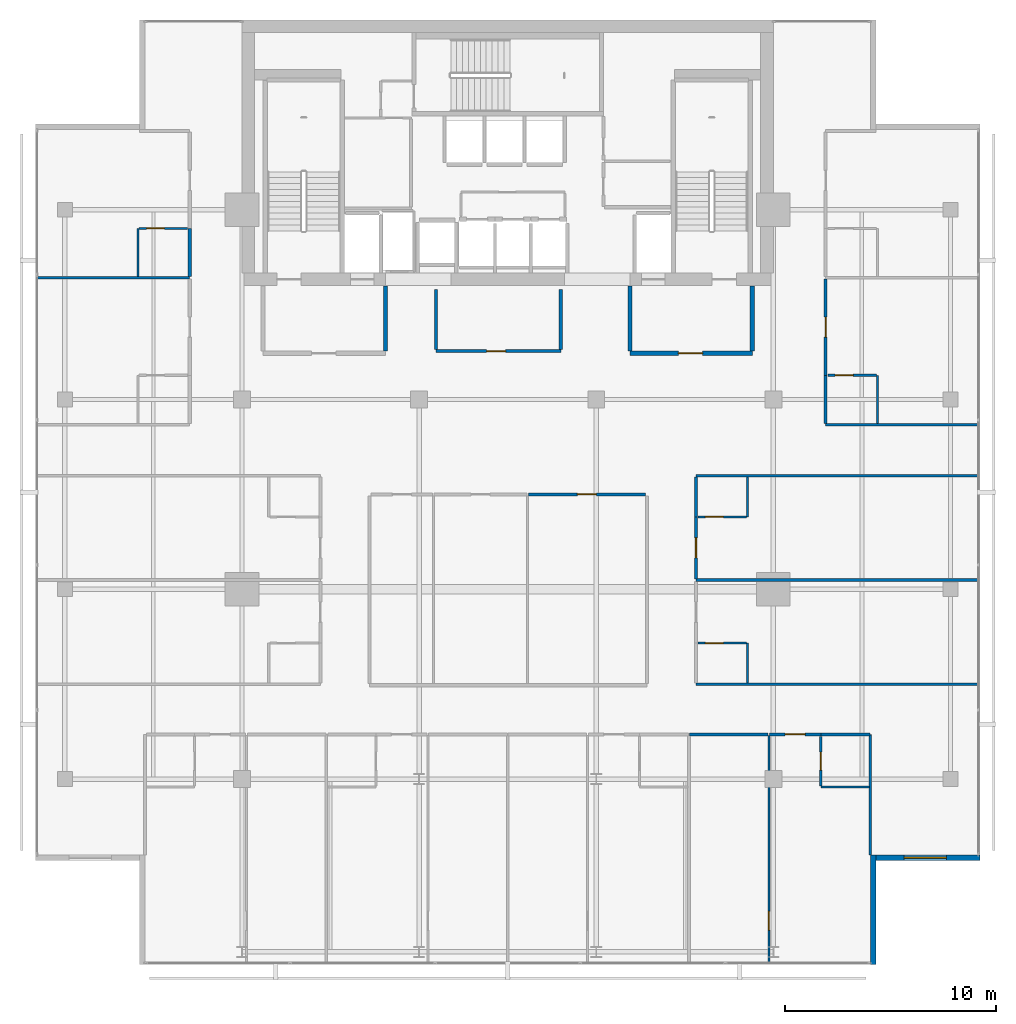
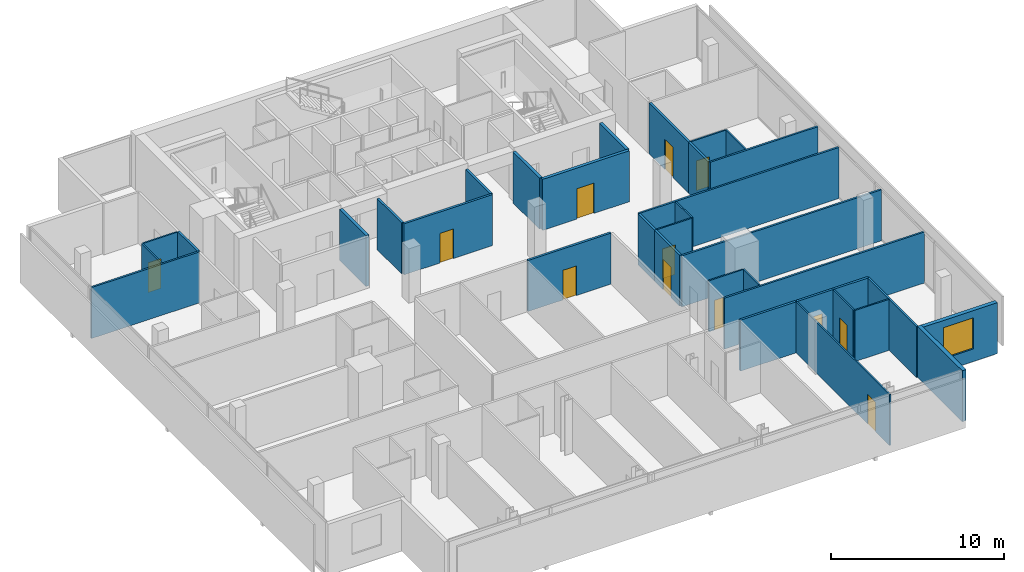
# One storey, part 21 of 26: 35 walls, 12 doors, 1 window, 13 openings.
"""IFC4 building model written with IfcOpenShell, lengths in metres."""

from ifc_helpers import new_model, si_unit, direction, frame, frame_2d, origin, place, context, subcontext, project, spatial, rectangle, extrude, material, layer, layer_set, type_object, element, fill, save


model = new_model("IFC4")

# Units and contexts
model_context = context("Model", 3, precision=1e-05, world=origin(), true_north=direction((0.0, 1.0)))
body_context = subcontext(model_context, "Body", "Model", "MODEL_VIEW")
ifc_project = project(units=[si_unit("LENGTHUNIT", "METRE"), si_unit("AREAUNIT", "SQUARE_METRE"), si_unit("VOLUMEUNIT", "CUBIC_METRE"), si_unit("PLANEANGLEUNIT", "RADIAN"), si_unit("MASSUNIT", "GRAM", prefix="KILO")], contexts=[model_context])

# Site, building, storey
site_placement = place(None, origin())
site = spatial("IfcSite", under=ifc_project, at=site_placement, CompositionType="ELEMENT")
building_placement = place(site_placement, origin())
building = spatial("IfcBuilding", under=site, at=building_placement, Name="Maruvema Waterfront Hotel and Observation Tower", CompositionType="ELEMENT")
storey_placement = place(building_placement, frame((0.0, 0.0, 258.64990234375)))
storey = spatial("IfcBuildingStorey", under=building, at=storey_placement, Name="L63", CompositionType="ELEMENT", Elevation=258.64990234375)

# Wall, opening, door
ifc_material_1 = material(Name="Twin-stud acoustic gypsum drywall", Category="gypsum")
ifc_layer_1 = layer(ifc_material_1, 0.14990234375, Name="Acoustic Corridor and Suite Demising Wall 150 mm")
ifc_layer_set_1 = layer_set([ifc_layer_1], Name="Twin-stud acoustic gypsum drywall")
wall_type_1 = type_object("IfcWallType", Name="Acoustic Corridor and Suite Demising Wall 150 mm", PredefinedType="PARTITIONING", material=ifc_layer_set_1)
wall_1_placement = place(storey_placement, frame((34.39990234375, 38.300048828125, 0.0), z_axis=(0.0, 0.0, 1.0), x_axis=(1.0, 0.0, 0.0)))
wall_1 = element("IfcWall", 1, at=wall_1_placement, inside=storey, type_object=wall_type_1, Name="L63 Core Apron K0 South 022", PredefinedType="PARTITIONING", context=body_context, shape_type="SweptSolid", body=[
    extrude(rectangle(XDim=5.920166015625, YDim=0.14990234375, at=frame_2d((2.9599609375, 0.0))), origin(), (0.0, 0.0, 1.0), 3.610107421875),
])
opening_1_placement = place(wall_1_placement, frame((2.39990234375, 0.0, 0.0)))
opening_1 = element("IfcOpeningElement", 2, at=opening_1_placement, cuts=wall_1, Name="Opening DR-090", PredefinedType="OPENING", context=body_context, shape_type="SweptSolid", body=[
    extrude(rectangle(XDim=0.89990234375, YDim=2.10009765625, at=frame_2d((0.449951171875, 1.050048828125))), frame((0.0, 0.0849609375, 0.0), z_axis=(0.0, -1.0, 0.0), x_axis=(1.0, 0.0, 0.0)), (0.0, 0.0, 1.0), 0.169921875),
])
ifc_material_2 = material(Name="Solid-core lacquered timber leaf", Category="wood")
door_type_1 = type_object("IfcDoorType", Name="Accessible Toilet and Room Door 900x2100 mm", OperationType="NOTDEFINED", PredefinedType="DOOR", material=ifc_material_2)
door_1_placement = place(opening_1_placement, frame((0.89990234375, 0.0, 0.0), z_axis=(0.0, 0.0, 1.0), x_axis=(-1.0, 0.0, 0.0)))
door_1 = element("IfcDoor", 3, at=door_1_placement, inside=storey, type_object=door_type_1, Name="L63 Core Valet Room Door", OperationType="SINGLE_SWING_LEFT", OverallHeight=2.10009765625, OverallWidth=0.89990234375, PredefinedType="DOOR", context=body_context, shape_type="SweptSolid", body=[
    extrude(rectangle(XDim=0.89990234375, YDim=2.10009765625, at=frame_2d((0.449951171875, 1.050048828125))), frame((0.0, 0.02490234375, 0.0), z_axis=(0.0, -1.0, 0.0), x_axis=(1.0, 0.0, 0.0)), (0.0, 0.0, 1.0), 0.050048828125),
])
fill(opening_1, door_1)

# Walls
for number, where, z_axis, x_axis, name in (
    (4, (34.39990234375, 38.3798828125, 0.0), (0.0, 0.0, 1.0), (0.0, 1.0, 0.0), "L63 Core Apron K0 West 023"),
    (5, (40.320068359375, 38.3798828125, 0.0), (0.0, 0.0, 1.0), (0.0, 1.0, 0.0), "L63 Core Apron K0 East 024"),
):
    element("IfcWall", number, at=place(storey_placement, frame(where, z_axis=z_axis, x_axis=x_axis)), inside=storey, type_object=wall_type_1, Name=name, PredefinedType="PARTITIONING", context=body_context, shape_type="SweptSolid", body=[
        extrude(rectangle(XDim=2.840087890625, YDim=0.14990234375, at=frame_2d((1.419921875, 0.0))), origin(), (0.0, 0.0, 1.0), 3.610107421875),
    ])

# Wall, opening, door
wall_2_placement = place(storey_placement, frame((38.775390625, 31.5, 0.0), z_axis=(0.0, 0.0, 1.0), x_axis=(1.0, 0.0, 0.0)))
wall_2 = element("IfcWall", 6, at=wall_2_placement, inside=storey, type_object=wall_type_1, Name="L63 L63-Z3M Front 3 032", PredefinedType="PARTITIONING", context=body_context, shape_type="SweptSolid", body=[
    extrude(rectangle(XDim=5.564697265625, YDim=0.14990234375, at=frame_2d((2.7822265625, 0.0))), origin(), (0.0, 0.0, 1.0), 3.610107421875),
])
opening_2_placement = place(wall_2_placement, frame((2.332275390625, 0.0, 0.0)))
opening_2 = element("IfcOpeningElement", 7, at=opening_2_placement, cuts=wall_2, Name="Opening DR-090", PredefinedType="OPENING", context=body_context, shape_type="SweptSolid", body=[
    extrude(rectangle(XDim=0.89990234375, YDim=2.10009765625, at=frame_2d((0.449951171875, 1.050048828125))), frame((0.0, 0.0849609375, 0.0), z_axis=(0.0, -1.0, 0.0), x_axis=(1.0, 0.0, 0.0)), (0.0, 0.0, 1.0), 0.169921875),
])
door_2_placement = place(opening_2_placement, origin())
door_2 = element("IfcDoor", 8, at=door_2_placement, inside=storey, type_object=door_type_1, Name="L63 Sky Study Office 3 Door", OperationType="SINGLE_SWING_RIGHT", OverallHeight=2.10009765625, OverallWidth=0.89990234375, PredefinedType="DOOR", context=body_context, shape_type="SweptSolid", body=[
    extrude(rectangle(XDim=0.89990234375, YDim=2.10009765625, at=frame_2d((0.449951171875, 1.050048828125))), frame((0.0, 0.02490234375, 0.0), z_axis=(0.0, -1.0, 0.0), x_axis=(1.0, 0.0, 0.0)), (0.0, 0.0, 1.0), 0.050048828125),
])
fill(opening_2, door_2)

# Walls
wall_3_placement = place(storey_placement, frame((52.64990234375, 20.1201171875, 0.0), z_axis=(0.0, 0.0, 1.0), x_axis=(1.0, 0.0, 0.0)))
element("IfcWall", 9, at=wall_3_placement, inside=storey, type_object=wall_type_1, Name="L63 Bath L63-S4 Back Wall 056", PredefinedType="PARTITIONING", context=body_context, shape_type="SweptSolid", body=[
    extrude(rectangle(XDim=2.330078125, YDim=0.14990234375, at=frame_2d((1.1650390625, 0.0))), origin(), (0.0, 0.0, 1.0), 3.610107421875),
])
wall_4_placement = place(storey_placement, frame((46.419921875, 20.1201171875, 0.0), z_axis=(0.0, 0.0, 1.0), x_axis=(1.0, 0.0, 0.0)))
element("IfcWall", 10, at=wall_4_placement, inside=storey, type_object=wall_type_1, Name="L63 Bedroom L63-S4 Back Wall 059", PredefinedType="PARTITIONING", context=body_context, shape_type="SweptSolid", body=[
    extrude(rectangle(XDim=3.72412109375, YDim=0.14990234375, at=frame_2d((1.862060546875, 0.0))), origin(), (0.0, 0.0, 1.0), 3.610107421875),
])

# Wall, opening, door
wall_5_placement = place(storey_placement, frame((50.22412109375, 20.1201171875, 0.0), z_axis=(0.0, 0.0, 1.0), x_axis=(1.0, 0.0, 0.0)))
wall_5 = element("IfcWall", 11, at=wall_5_placement, inside=storey, type_object=wall_type_1, Name="L63 Unit L63-S4 Corridor Wall 060", PredefinedType="PARTITIONING", context=body_context, shape_type="SweptSolid", body=[
    extrude(rectangle(XDim=2.42578125, YDim=0.14990234375, at=frame_2d((1.212890625, 0.0))), origin(), (0.0, 0.0, 1.0), 3.610107421875),
])
opening_3_placement = place(wall_5_placement, frame((0.738037109375, 0.0, 0.0)))
opening_3 = element("IfcOpeningElement", 12, at=opening_3_placement, cuts=wall_5, Name="Opening DR-095", PredefinedType="OPENING", context=body_context, shape_type="SweptSolid", body=[
    extrude(rectangle(XDim=0.949951171875, YDim=2.14990234375, at=frame_2d((0.47509765625, 1.074951171875))), frame((0.0, 0.0849609375, 0.0), z_axis=(0.0, -1.0, 0.0), x_axis=(1.0, 0.0, 0.0)), (0.0, 0.0, 1.0), 0.169921875),
])
ifc_material_3 = material(Name="Acoustic solid-core hardwood timber leaf", Category="wood")
door_type_2 = type_object("IfcDoorType", Name="Guestroom Entrance Fire Door 950x2150 mm", OperationType="NOTDEFINED", PredefinedType="DOOR", material=ifc_material_3)
door_3_placement = place(opening_3_placement, frame((0.949951171875, 0.0, 0.0), z_axis=(0.0, 0.0, 1.0), x_axis=(-1.0, 0.0, 0.0)))
door_3 = element("IfcDoor", 13, at=door_3_placement, inside=storey, type_object=door_type_2, Name="L63 Unit L63-S4 Entrance Door", OperationType="SINGLE_SWING_LEFT", OverallHeight=2.14990234375, OverallWidth=0.949951171875, PredefinedType="DOOR", context=body_context, shape_type="SweptSolid", body=[
    extrude(rectangle(XDim=0.949951171875, YDim=2.14990234375, at=frame_2d((0.47509765625, 1.074951171875))), frame((0.0, 0.02490234375, 0.0), z_axis=(0.0, -1.0, 0.0), x_axis=(1.0, 0.0, 0.0)), (0.0, 0.0, 1.0), 0.050048828125),
])
fill(opening_3, door_3)

wall_6_placement = place(storey_placement, frame((46.72998046875, 27.5, 0.0), z_axis=(0.0, 0.0, 1.0), x_axis=(0.0, 1.0, 0.0)))
wall_6 = element("IfcWall", 14, at=wall_6_placement, inside=storey, type_object=wall_type_1, Name="L63 Room L63-E2 Corridor Wall 080", PredefinedType="PARTITIONING", context=body_context, shape_type="SweptSolid", body=[
    extrude(rectangle(XDim=2.929931640625, YDim=0.14990234375, at=frame_2d((1.46484375, 0.0))), origin(), (0.0, 0.0, 1.0), 3.610107421875),
])
opening_4_placement = place(wall_6_placement, frame((0.989990234375, 0.0, 0.0)))
opening_4 = element("IfcOpeningElement", 15, at=opening_4_placement, cuts=wall_6, Name="Opening DR-095", PredefinedType="OPENING", context=body_context, shape_type="SweptSolid", body=[
    extrude(rectangle(XDim=0.949951171875, YDim=2.14990234375, at=frame_2d((0.47509765625, 1.074951171875))), frame((0.0, 0.0849609375, 0.0), z_axis=(0.0, -1.0, 0.0), x_axis=(1.0, 0.0, 0.0)), (0.0, 0.0, 1.0), 0.169921875),
])
door_4_placement = place(opening_4_placement, frame((0.949951171875, 0.0, 0.0), z_axis=(0.0, 0.0, 1.0), x_axis=(-1.0, 0.0, 0.0)))
door_4 = element("IfcDoor", 16, at=door_4_placement, inside=storey, type_object=door_type_2, Name="L63 Room L63-E2 Entrance Door", OperationType="SINGLE_SWING_RIGHT", OverallHeight=2.14990234375, OverallWidth=0.949951171875, PredefinedType="DOOR", context=body_context, shape_type="SweptSolid", body=[
    extrude(rectangle(XDim=0.949951171875, YDim=2.14990234375, at=frame_2d((0.47509765625, 1.074951171875))), frame((0.0, 0.02490234375, 0.0), z_axis=(0.0, -1.0, 0.0), x_axis=(1.0, 0.0, 0.0)), (0.0, 0.0, 1.0), 0.050048828125),
])
fill(opening_4, door_4)

# Walls
wall_7_placement = place(storey_placement, frame((46.72998046875, 30.429931640625, 0.0), z_axis=(0.0, 0.0, 1.0), x_axis=(0.0, 1.0, 0.0)))
element("IfcWall", 17, at=wall_7_placement, inside=storey, type_object=wall_type_1, Name="L63 Bath L63-E2 Wall 081", PredefinedType="PARTITIONING", context=body_context, shape_type="SweptSolid", body=[
    extrude(rectangle(XDim=1.89013671875, YDim=0.14990234375, at=frame_2d((0.945068359375, 0.0))), origin(), (0.0, 0.0, 1.0), 3.610107421875),
])
wall_8_placement = place(storey_placement, frame((52.8798828125, 34.860107421875, 0.0), z_axis=(0.0, 0.0, 1.0), x_axis=(0.0, 1.0, 0.0)))
element("IfcWall", 18, at=wall_8_placement, inside=storey, type_object=wall_type_1, Name="L63 Bath L63-NE1 Wall 092", PredefinedType="PARTITIONING", context=body_context, shape_type="SweptSolid", body=[
    extrude(rectangle(XDim=2.289794921875, YDim=0.14990234375, at=frame_2d((1.14501953125, 0.0))), origin(), (0.0, 0.0, 1.0), 3.610107421875),
])

# Wall, opening, door
wall_9_placement = place(storey_placement, frame((52.8798828125, 37.14990234375, 0.0), z_axis=(0.0, 0.0, 1.0), x_axis=(0.0, 1.0, 0.0)))
wall_9 = element("IfcWall", 19, at=wall_9_placement, inside=storey, type_object=wall_type_1, Name="L63 Room L63-NE1 Corridor Wall 093", PredefinedType="PARTITIONING", context=body_context, shape_type="SweptSolid", body=[
    extrude(rectangle(XDim=4.558837890625, YDim=0.14990234375, at=frame_2d((2.279296875, 0.0))), origin(), (0.0, 0.0, 1.0), 3.610107421875),
])
opening_5_placement = place(wall_9_placement, frame((1.804443359375, 0.0, 0.0)))
opening_5 = element("IfcOpeningElement", 20, at=opening_5_placement, cuts=wall_9, Name="Opening DR-095", PredefinedType="OPENING", context=body_context, shape_type="SweptSolid", body=[
    extrude(rectangle(XDim=0.949951171875, YDim=2.14990234375, at=frame_2d((0.47509765625, 1.074951171875))), frame((0.0, 0.0849609375, 0.0), z_axis=(0.0, -1.0, 0.0), x_axis=(1.0, 0.0, 0.0)), (0.0, 0.0, 1.0), 0.169921875),
])
door_5_placement = place(opening_5_placement, frame((0.949951171875, 0.0, 0.0), z_axis=(0.0, 0.0, 1.0), x_axis=(-1.0, 0.0, 0.0)))
door_5 = element("IfcDoor", 21, at=door_5_placement, inside=storey, type_object=door_type_2, Name="L63 Room L63-NE1 Entrance Door", OperationType="SINGLE_SWING_RIGHT", OverallHeight=2.14990234375, OverallWidth=0.949951171875, PredefinedType="DOOR", context=body_context, shape_type="SweptSolid", body=[
    extrude(rectangle(XDim=0.949951171875, YDim=2.14990234375, at=frame_2d((0.47509765625, 1.074951171875))), frame((0.0, 0.02490234375, 0.0), z_axis=(0.0, -1.0, 0.0), x_axis=(1.0, 0.0, 0.0)), (0.0, 0.0, 1.0), 0.050048828125),
])
fill(opening_5, door_5)

# Walls
wall_10_placement = place(storey_placement, frame((22.719970703125, 41.82861328125, 0.0), z_axis=(0.0, 0.0, 1.0), x_axis=(0.0, 1.0, 0.0)))
element("IfcWall", 22, at=wall_10_placement, inside=storey, type_object=wall_type_1, Name="L63 Bath L63-NW2 Wall 098", PredefinedType="PARTITIONING", context=body_context, shape_type="SweptSolid", body=[
    extrude(rectangle(XDim=2.2900390625, YDim=0.14990234375, at=frame_2d((1.14501953125, 0.0))), origin(), (0.0, 0.0, 1.0), 3.610107421875),
])
ifc_material_4 = material(Name="Moisture-resistant cement-board drywall", Category="gypsum")
ifc_layer_2 = layer(ifc_material_4, 0.10009765625, Name="En-Suite Moisture-Resistant Partition 100 mm")
ifc_layer_set_2 = layer_set([ifc_layer_2], Name="Moisture-resistant cement-board drywall")
wall_type_2 = type_object("IfcWallType", Name="En-Suite Moisture-Resistant Partition 100 mm", PredefinedType="PARTITIONING", material=ifc_layer_set_2)
wall_11_placement = place(storey_placement, frame((52.64990234375, 17.6201171875, 0.0), z_axis=(0.0, 0.0, 1.0), x_axis=(1.0, 0.0, 0.0)))
element("IfcWall", 23, at=wall_11_placement, inside=storey, type_object=wall_type_2, Name="L63 En-Suite L63-S4 South 057", PredefinedType="PARTITIONING", context=body_context, shape_type="SweptSolid", body=[
    extrude(rectangle(XDim=2.31005859375, YDim=0.10009765625, at=frame_2d((1.155029296875, 0.0))), origin(), (0.0, 0.0, 1.0), 3.610107421875),
])

# Wall, opening, door
wall_12_placement = place(storey_placement, frame((52.64990234375, 17.679931640625, 0.0), z_axis=(0.0, 0.0, 1.0), x_axis=(0.0, 1.0, 0.0)))
wall_12 = element("IfcWall", 24, at=wall_12_placement, inside=storey, type_object=wall_type_2, Name="L63 En-Suite L63-S4 West 058", PredefinedType="PARTITIONING", context=body_context, shape_type="SweptSolid", body=[
    extrude(rectangle(XDim=2.340087890625, YDim=0.10009765625, at=frame_2d((1.169921875, 0.0))), origin(), (0.0, 0.0, 1.0), 3.610107421875),
])
opening_6_placement = place(wall_12_placement, frame((0.7451171875, 0.0, 0.0)))
opening_6 = element("IfcOpeningElement", 25, at=opening_6_placement, cuts=wall_12, Name="Opening DR-085", PredefinedType="OPENING", context=body_context, shape_type="SweptSolid", body=[
    extrude(rectangle(XDim=0.85009765625, YDim=2.10009765625, at=frame_2d((0.425048828125, 1.050048828125))), frame((0.0, 0.06005859375, 0.0), z_axis=(0.0, -1.0, 0.0), x_axis=(1.0, 0.0, 0.0)), (0.0, 0.0, 1.0), 0.1201171875),
])
ifc_material_5 = material(Name="Moisture-resistant solid timber leaf", Category="wood")
door_type_3 = type_object("IfcDoorType", Name="En-Suite Bathroom Door 850x2100 mm", OperationType="NOTDEFINED", PredefinedType="DOOR", material=ifc_material_5)
door_6_placement = place(opening_6_placement, origin())
door_6 = element("IfcDoor", 26, at=door_6_placement, inside=storey, type_object=door_type_3, Name="L63 En-Suite L63-S4 Door", OperationType="SINGLE_SWING_RIGHT", OverallHeight=2.10009765625, OverallWidth=0.85009765625, PredefinedType="DOOR", context=body_context, shape_type="SweptSolid", body=[
    extrude(rectangle(XDim=0.85009765625, YDim=2.10009765625, at=frame_2d((0.425048828125, 1.050048828125))), frame((0.0, 0.02490234375, 0.0), z_axis=(0.0, -1.0, 0.0), x_axis=(1.0, 0.0, 0.0)), (0.0, 0.0, 1.0), 0.050048828125),
])
fill(opening_6, door_6)

wall_13_placement = place(storey_placement, frame((50.18408203125, 9.22998046875, 0.0), z_axis=(0.0, 0.0, 1.0), x_axis=(0.0, 1.0, 0.0)))
wall_13 = element("IfcWall", 27, at=wall_13_placement, inside=storey, type_object=wall_type_2, Name="L63 Suite L63-S4 Split 061", PredefinedType="PARTITIONING", context=body_context, shape_type="SweptSolid", body=[
    extrude(rectangle(XDim=10.830078125, YDim=0.10009765625, at=frame_2d((5.4150390625, 0.0))), origin(), (0.0, 0.0, 1.0), 3.610107421875),
])
opening_7_placement = place(wall_13_placement, frame((1.60009765625, 0.0, 0.0)))
opening_7 = element("IfcOpeningElement", 28, at=opening_7_placement, cuts=wall_13, Name="Opening DR-090", PredefinedType="OPENING", context=body_context, shape_type="SweptSolid", body=[
    extrude(rectangle(XDim=0.89990234375, YDim=2.10009765625, at=frame_2d((0.449951171875, 1.050048828125))), frame((0.0, 0.06005859375, 0.0), z_axis=(0.0, -1.0, 0.0), x_axis=(1.0, 0.0, 0.0)), (0.0, 0.0, 1.0), 0.1201171875),
])
door_7_placement = place(opening_7_placement, frame((0.89990234375, 0.0, 0.0), z_axis=(0.0, 0.0, 1.0), x_axis=(-1.0, 0.0, 0.0)))
door_7 = element("IfcDoor", 29, at=door_7_placement, inside=storey, type_object=door_type_1, Name="L63 Suite L63-S4 Bedroom Door", OperationType="SINGLE_SWING_RIGHT", OverallHeight=2.10009765625, OverallWidth=0.89990234375, PredefinedType="DOOR", context=body_context, shape_type="SweptSolid", body=[
    extrude(rectangle(XDim=0.89990234375, YDim=2.10009765625, at=frame_2d((0.449951171875, 1.050048828125))), frame((0.0, 0.02490234375, 0.0), z_axis=(0.0, -1.0, 0.0), x_axis=(1.0, 0.0, 0.0)), (0.0, 0.0, 1.0), 0.050048828125),
])
fill(opening_7, door_7)

# Wall
wall_14_placement = place(storey_placement, frame((49.179931640625, 22.56005859375, 0.0), z_axis=(0.0, 0.0, 1.0), x_axis=(0.0, 1.0, 0.0)))
element("IfcWall", 30, at=wall_14_placement, inside=storey, type_object=wall_type_2, Name="L63 En-Suite L63-E1 E 072", PredefinedType="PARTITIONING", context=body_context, shape_type="SweptSolid", body=[
    extrude(rectangle(XDim=1.889892578125, YDim=0.10009765625, at=frame_2d((0.94482421875, 0.0))), origin(), (0.0, 0.0, 1.0), 3.610107421875),
])

# Wall, opening, door
wall_15_placement = place(storey_placement, frame((46.830078125, 24.449951171875, 0.0), z_axis=(0.0, 0.0, 1.0), x_axis=(1.0, 0.0, 0.0)))
wall_15 = element("IfcWall", 31, at=wall_15_placement, inside=storey, type_object=wall_type_2, Name="L63 En-Suite L63-E1 N 073", PredefinedType="PARTITIONING", context=body_context, shape_type="SweptSolid", body=[
    extrude(rectangle(XDim=2.2998046875, YDim=0.10009765625, at=frame_2d((1.14990234375, 0.0))), origin(), (0.0, 0.0, 1.0), 3.610107421875),
])
opening_8_placement = place(wall_15_placement, frame((0.35009765625, 0.0, 0.0)))
opening_8 = element("IfcOpeningElement", 32, at=opening_8_placement, cuts=wall_15, Name="Opening DR-085", PredefinedType="OPENING", context=body_context, shape_type="SweptSolid", body=[
    extrude(rectangle(XDim=0.85009765625, YDim=2.10009765625, at=frame_2d((0.425048828125, 1.050048828125))), frame((0.0, 0.06005859375, 0.0), z_axis=(0.0, -1.0, 0.0), x_axis=(1.0, 0.0, 0.0)), (0.0, 0.0, 1.0), 0.1201171875),
])
door_8_placement = place(opening_8_placement, origin())
door_8 = element("IfcDoor", 33, at=door_8_placement, inside=storey, type_object=door_type_3, Name="L63 En-Suite L63-E1 Door", OperationType="SINGLE_SWING_LEFT", OverallHeight=2.10009765625, OverallWidth=0.85009765625, PredefinedType="DOOR", context=body_context, shape_type="SweptSolid", body=[
    extrude(rectangle(XDim=0.85009765625, YDim=2.10009765625, at=frame_2d((0.425048828125, 1.050048828125))), frame((0.0, 0.02490234375, 0.0), z_axis=(0.0, -1.0, 0.0), x_axis=(1.0, 0.0, 0.0)), (0.0, 0.0, 1.0), 0.050048828125),
])
fill(opening_8, door_8)

# Wall
wall_16_placement = place(storey_placement, frame((49.179931640625, 30.429931640625, 0.0), z_axis=(0.0, 0.0, 1.0), x_axis=(0.0, 1.0, 0.0)))
element("IfcWall", 34, at=wall_16_placement, inside=storey, type_object=wall_type_2, Name="L63 En-Suite L63-E2 E 082", PredefinedType="PARTITIONING", context=body_context, shape_type="SweptSolid", body=[
    extrude(rectangle(XDim=1.89013671875, YDim=0.10009765625, at=frame_2d((0.945068359375, 0.0))), origin(), (0.0, 0.0, 1.0), 3.610107421875),
])

# Wall, opening, door
wall_17_placement = place(storey_placement, frame((46.830078125, 30.429931640625, 0.0), z_axis=(0.0, 0.0, 1.0), x_axis=(1.0, 0.0, 0.0)))
wall_17 = element("IfcWall", 35, at=wall_17_placement, inside=storey, type_object=wall_type_2, Name="L63 En-Suite L63-E2 S 083", PredefinedType="PARTITIONING", context=body_context, shape_type="SweptSolid", body=[
    extrude(rectangle(XDim=2.2998046875, YDim=0.10009765625, at=frame_2d((1.14990234375, 0.0))), origin(), (0.0, 0.0, 1.0), 3.610107421875),
])
opening_9_placement = place(wall_17_placement, frame((0.35009765625, 0.0, 0.0)))
opening_9 = element("IfcOpeningElement", 36, at=opening_9_placement, cuts=wall_17, Name="Opening DR-085", PredefinedType="OPENING", context=body_context, shape_type="SweptSolid", body=[
    extrude(rectangle(XDim=0.85009765625, YDim=2.10009765625, at=frame_2d((0.425048828125, 1.050048828125))), frame((0.0, 0.06005859375, 0.0), z_axis=(0.0, -1.0, 0.0), x_axis=(1.0, 0.0, 0.0)), (0.0, 0.0, 1.0), 0.1201171875),
])
door_9_placement = place(opening_9_placement, frame((0.85009765625, 0.0, 0.0), z_axis=(0.0, 0.0, 1.0), x_axis=(-1.0, 0.0, 0.0)))
door_9 = element("IfcDoor", 37, at=door_9_placement, inside=storey, type_object=door_type_3, Name="L63 En-Suite L63-E2 Door", OperationType="SINGLE_SWING_LEFT", OverallHeight=2.10009765625, OverallWidth=0.85009765625, PredefinedType="DOOR", context=body_context, shape_type="SweptSolid", body=[
    extrude(rectangle(XDim=0.85009765625, YDim=2.10009765625, at=frame_2d((0.425048828125, 1.050048828125))), frame((0.0, 0.02490234375, 0.0), z_axis=(0.0, -1.0, 0.0), x_axis=(1.0, 0.0, 0.0)), (0.0, 0.0, 1.0), 0.050048828125),
])
fill(opening_9, door_9)

# Wall
wall_18_placement = place(storey_placement, frame((55.330078125, 34.860107421875, 0.0), z_axis=(0.0, 0.0, 1.0), x_axis=(0.0, 1.0, 0.0)))
element("IfcWall", 38, at=wall_18_placement, inside=storey, type_object=wall_type_2, Name="L63 En-Suite L63-NE1 E 094", PredefinedType="PARTITIONING", context=body_context, shape_type="SweptSolid", body=[
    extrude(rectangle(XDim=2.289794921875, YDim=0.10009765625, at=frame_2d((1.14501953125, 0.0))), origin(), (0.0, 0.0, 1.0), 3.610107421875),
])

# Wall, opening, door
wall_19_placement = place(storey_placement, frame((52.97998046875, 37.14990234375, 0.0), z_axis=(0.0, 0.0, 1.0), x_axis=(1.0, 0.0, 0.0)))
wall_19 = element("IfcWall", 39, at=wall_19_placement, inside=storey, type_object=wall_type_2, Name="L63 En-Suite L63-NE1 N 095", PredefinedType="PARTITIONING", context=body_context, shape_type="SweptSolid", body=[
    extrude(rectangle(XDim=2.300048828125, YDim=0.10009765625, at=frame_2d((1.14990234375, 0.0))), origin(), (0.0, 0.0, 1.0), 3.610107421875),
])
opening_10_placement = place(wall_19_placement, frame((0.35009765625, 0.0, 0.0)))
opening_10 = element("IfcOpeningElement", 40, at=opening_10_placement, cuts=wall_19, Name="Opening DR-085", PredefinedType="OPENING", context=body_context, shape_type="SweptSolid", body=[
    extrude(rectangle(XDim=0.85009765625, YDim=2.10009765625, at=frame_2d((0.425048828125, 1.050048828125))), frame((0.0, 0.06005859375, 0.0), z_axis=(0.0, -1.0, 0.0), x_axis=(1.0, 0.0, 0.0)), (0.0, 0.0, 1.0), 0.1201171875),
])
door_10_placement = place(opening_10_placement, origin())
door_10 = element("IfcDoor", 41, at=door_10_placement, inside=storey, type_object=door_type_3, Name="L63 En-Suite L63-NE1 Door", OperationType="SINGLE_SWING_LEFT", OverallHeight=2.10009765625, OverallWidth=0.85009765625, PredefinedType="DOOR", context=body_context, shape_type="SweptSolid", body=[
    extrude(rectangle(XDim=0.85009765625, YDim=2.10009765625, at=frame_2d((0.425048828125, 1.050048828125))), frame((0.0, 0.02490234375, 0.0), z_axis=(0.0, -1.0, 0.0), x_axis=(1.0, 0.0, 0.0)), (0.0, 0.0, 1.0), 0.050048828125),
])
fill(opening_10, door_10)

# Wall
wall_20_placement = place(storey_placement, frame((20.27001953125, 41.82861328125, 0.0), z_axis=(0.0, 0.0, 1.0), x_axis=(0.0, 1.0, 0.0)))
element("IfcWall", 42, at=wall_20_placement, inside=storey, type_object=wall_type_2, Name="L63 En-Suite L63-NW2 W 100", PredefinedType="PARTITIONING", context=body_context, shape_type="SweptSolid", body=[
    extrude(rectangle(XDim=2.2900390625, YDim=0.10009765625, at=frame_2d((1.14501953125, 0.0))), origin(), (0.0, 0.0, 1.0), 3.610107421875),
])

# Wall, opening, door
wall_21_placement = place(storey_placement, frame((20.320068359375, 44.11865234375, 0.0), z_axis=(0.0, 0.0, 1.0), x_axis=(1.0, 0.0, 0.0)))
wall_21 = element("IfcWall", 43, at=wall_21_placement, inside=storey, type_object=wall_type_2, Name="L63 En-Suite L63-NW2 N 101", PredefinedType="PARTITIONING", context=body_context, shape_type="SweptSolid", body=[
    extrude(rectangle(XDim=2.300048828125, YDim=0.10009765625, at=frame_2d((1.14990234375, 0.0))), origin(), (0.0, 0.0, 1.0), 3.610107421875),
])
opening_11_placement = place(wall_21_placement, frame((0.35009765625, 0.0, 0.0)))
opening_11 = element("IfcOpeningElement", 44, at=opening_11_placement, cuts=wall_21, Name="Opening DR-085", PredefinedType="OPENING", context=body_context, shape_type="SweptSolid", body=[
    extrude(rectangle(XDim=0.85009765625, YDim=2.10009765625, at=frame_2d((0.425048828125, 1.050048828125))), frame((0.0, 0.06005859375, 0.0), z_axis=(0.0, -1.0, 0.0), x_axis=(1.0, 0.0, 0.0)), (0.0, 0.0, 1.0), 0.1201171875),
])
door_11_placement = place(opening_11_placement, origin())
door_11 = element("IfcDoor", 45, at=door_11_placement, inside=storey, type_object=door_type_3, Name="L63 En-Suite L63-NW2 Door", OperationType="SINGLE_SWING_LEFT", OverallHeight=2.10009765625, OverallWidth=0.85009765625, PredefinedType="DOOR", context=body_context, shape_type="SweptSolid", body=[
    extrude(rectangle(XDim=0.85009765625, YDim=2.10009765625, at=frame_2d((0.425048828125, 1.050048828125))), frame((0.0, 0.02490234375, 0.0), z_axis=(0.0, -1.0, 0.0), x_axis=(1.0, 0.0, 0.0)), (0.0, 0.0, 1.0), 0.050048828125),
])
fill(opening_11, door_11)

# Wall
ifc_material_6 = material(Name="Precast concrete C45/55 with honed Pernambuco granite facing", Category="masonry")
ifc_layer_3 = layer(ifc_material_6, 0.260009765625, Name="Exterior Granite Clad Spandrel and Pier Wall 260 mm")
ifc_layer_set_3 = layer_set([ifc_layer_3], Name="Precast concrete C45/55 with honed Pernambuco granite facing")
wall_type_3 = type_object("IfcWallType", Name="Exterior Granite Clad Spandrel and Pier Wall 260 mm", PredefinedType="SOLIDWALL", material=ifc_layer_set_3)
wall_22_placement = place(storey_placement, frame((55.1298828125, 14.39990234375, 0.0), z_axis=(0.0, 0.0, 1.0), x_axis=(0.0, -1.0, 0.0)))
element("IfcWall", 46, at=wall_22_placement, inside=storey, type_object=wall_type_3, Name="L63 Corner Notch Granite Pier Wall SE1", PredefinedType="SOLIDWALL", context=body_context, shape_type="SweptSolid", body=[
    extrude(rectangle(XDim=5.199951171875, YDim=0.260009765625, at=frame_2d((2.60009765625, 0.0))), origin(), (0.0, 0.0, 1.0), 3.610107421875),
])

# Wall, opening, window
wall_23_placement = place(storey_placement, frame((60.199951171875, 14.27001953125, 0.0), z_axis=(0.0, 0.0, 1.0), x_axis=(-1.0, 0.0, 0.0)))
wall_23 = element("IfcWall", 47, at=wall_23_placement, inside=storey, type_object=wall_type_3, Name="L63 Corner Notch Granite Pier Wall SE2", PredefinedType="SOLIDWALL", context=body_context, shape_type="SweptSolid", body=[
    extrude(rectangle(XDim=5.199951171875, YDim=0.260009765625, at=frame_2d((2.60009765625, 0.0))), origin(), (0.0, 0.0, 1.0), 3.610107421875),
])
opening_12_placement = place(wall_23_placement, frame((1.60009765625, 0.0, 0.89990234375)))
opening_12 = element("IfcOpeningElement", 48, at=opening_12_placement, cuts=wall_23, Name="Opening WN-03", PredefinedType="OPENING", context=body_context, shape_type="SweptSolid", body=[
    extrude(rectangle(XDim=2.0, YDim=2.199951171875, at=frame_2d((1.0, 1.10009765625))), frame((0.0, 0.14013671875, 0.0), z_axis=(0.0, -1.0, 0.0), x_axis=(1.0, 0.0, 0.0)), (0.0, 0.0, 1.0), 0.280029296875),
])
ifc_material_7 = material(Name="Anodised bronze aluminium frame with laminated low-E glass", Category="aluminium")
window_type = type_object("IfcWindowType", Name="Sky Suite Panoramic Notch Window 2000x2200 mm", PartitioningType="SINGLE_PANEL", PredefinedType="WINDOW", material=ifc_material_7)
window_placement = place(opening_12_placement, origin())
window = element("IfcWindow", 49, at=window_placement, inside=storey, type_object=window_type, Name="L63 Corner Notch Punched Window SE2", OverallHeight=2.199951171875, OverallWidth=2.0, PartitioningType="SINGLE_PANEL", PredefinedType="WINDOW", context=body_context, shape_type="SweptSolid", body=[
    extrude(rectangle(XDim=2.0, YDim=2.199951171875, at=frame_2d((1.0, 1.10009765625))), frame((0.0, 0.030029296875, 0.0), z_axis=(0.0, -1.0, 0.0), x_axis=(1.0, 0.0, 0.0)), (0.0, 0.0, 1.0), 0.06005859375),
])
fill(opening_12, window)

# Wall
ifc_material_8 = material(Name="Autoclaved cellular concrete blockwork", Category="masonry")
ifc_layer_4 = layer(ifc_material_8, 0.199951171875, Name="Fire Compartment Masonry Wall 200 mm")
ifc_layer_set_4 = layer_set([ifc_layer_4], Name="Autoclaved cellular concrete blockwork")
wall_type_4 = type_object("IfcWallType", Name="Fire Compartment Masonry Wall 200 mm", PredefinedType="PARTITIONING", material=ifc_layer_set_4)
wall_24_placement = place(storey_placement, frame((32.0, 38.31005859375, 0.0), z_axis=(0.0, 0.0, 1.0), x_axis=(0.0, 1.0, 0.0)))
element("IfcWall", 50, at=wall_24_placement, inside=storey, type_object=wall_type_4, Name="L63 FFL West East Wall 003", PredefinedType="PARTITIONING", context=body_context, shape_type="SweptSolid", body=[
    extrude(rectangle(XDim=3.06982421875, YDim=0.199951171875, at=frame_2d((1.534912109375, 0.0))), origin(), (0.0, 0.0, 1.0), 3.610107421875),
])

# Wall, opening, door
wall_25_placement = place(storey_placement, frame((43.60009765625, 38.199951171875, 0.0), z_axis=(0.0, 0.0, 1.0), x_axis=(1.0, 0.0, 0.0)))
wall_25 = element("IfcWall", 51, at=wall_25_placement, inside=storey, type_object=wall_type_4, Name="L63 FFL East South Wall 004", PredefinedType="PARTITIONING", context=body_context, shape_type="SweptSolid", body=[
    extrude(rectangle(XDim=5.7998046875, YDim=0.199951171875, at=frame_2d((2.89990234375, 0.0))), origin(), (0.0, 0.0, 1.0), 3.610107421875),
])
opening_13_placement = place(wall_25_placement, frame((2.300048828125, 0.0, 0.0)))
opening_13 = element("IfcOpeningElement", 52, at=opening_13_placement, cuts=wall_25, Name="Opening FD-115", PredefinedType="OPENING", context=body_context, shape_type="SweptSolid", body=[
    extrude(rectangle(XDim=1.14990234375, YDim=2.14990234375, at=frame_2d((0.574951171875, 1.074951171875))), frame((0.0, 0.10986328125, 0.0), z_axis=(0.0, -1.0, 0.0), x_axis=(1.0, 0.0, 0.0)), (0.0, 0.0, 1.0), 0.219970703125),
])
ifc_material_9 = material(Name="Fire-rated galvanised steel and vision glass", Category="steel")
door_type_4 = type_object("IfcDoorType", Name="Firefighting Lobby Fire Door 1150x2150 mm", OperationType="NOTDEFINED", PredefinedType="DOOR", material=ifc_material_9)
door_12_placement = place(opening_13_placement, frame((1.14990234375, 0.0, 0.0), z_axis=(0.0, 0.0, 1.0), x_axis=(-1.0, 0.0, 0.0)))
door_12 = element("IfcDoor", 53, at=door_12_placement, inside=storey, type_object=door_type_4, Name="L63 Firefighting Lobby East Door", OperationType="SINGLE_SWING_RIGHT", OverallHeight=2.14990234375, OverallWidth=1.14990234375, PredefinedType="DOOR", context=body_context, shape_type="SweptSolid", body=[
    extrude(rectangle(XDim=1.14990234375, YDim=2.14990234375, at=frame_2d((0.574951171875, 1.074951171875))), frame((0.0, 0.02490234375, 0.0), z_axis=(0.0, -1.0, 0.0), x_axis=(1.0, 0.0, 0.0)), (0.0, 0.0, 1.0), 0.050048828125),
])
fill(opening_13, door_12)

# Walls
for number, where, z_axis, x_axis, name in (
    (54, (43.60009765625, 38.31005859375, 0.0), (0.0, 0.0, 1.0), (0.0, 1.0, 0.0), "L63 FFL East West Wall 005"),
    (55, (49.39990234375, 38.31005859375, 0.0), (0.0, 0.0, 1.0), (0.0, 1.0, 0.0), "L63 FFL East East Wall 006"),
):
    element("IfcWall", number, at=place(storey_placement, frame(where, z_axis=z_axis, x_axis=x_axis)), inside=storey, type_object=wall_type_4, Name=name, PredefinedType="PARTITIONING", context=body_context, shape_type="SweptSolid", body=[
        extrude(rectangle(XDim=3.06982421875, YDim=0.199951171875, at=frame_2d((1.534912109375, 0.0))), origin(), (0.0, 0.0, 1.0), 3.610107421875),
    ])
ifc_material_10 = material(Name="Acoustic gypsum plasterboard drywall", Category="gypsum")
ifc_layer_5 = layer(ifc_material_10, 0.125, Name="Guestroom Acoustic Demising Wall 125 mm")
ifc_layer_set_5 = layer_set([ifc_layer_5], Name="Acoustic gypsum plasterboard drywall")
wall_type_5 = type_object("IfcWallType", Name="Guestroom Acoustic Demising Wall 125 mm", PredefinedType="PARTITIONING", material=ifc_layer_set_5)
wall_26_placement = place(storey_placement, frame((55.0, 14.39990234375, 0.0), z_axis=(0.0, 0.0, 1.0), x_axis=(0.0, 1.0, 0.0)))
element("IfcWall", 56, at=wall_26_placement, inside=storey, type_object=wall_type_5, Name="L63 Z3 S East End 034", PredefinedType="PARTITIONING", context=body_context, shape_type="SweptSolid", body=[
    extrude(rectangle(XDim=5.72021484375, YDim=0.125, at=frame_2d((2.860107421875, 0.0))), origin(), (0.0, 0.0, 1.0), 3.610107421875),
])
for number, where, z_axis, x_axis, name in (
    (57, (46.72998046875, 22.5, 0.0), (0.0, 0.0, 1.0), (1.0, 0.0, 0.0), "L63 Z3 E Bot End 063"),
    (58, (46.72998046875, 32.3798828125, 0.0), (0.0, 0.0, 1.0), (1.0, 0.0, 0.0), "L63 Z3 E Top End 065"),
    (59, (46.72998046875, 27.43994140625, 0.0), (0.0, 0.0, 1.0), (1.0, 0.0, 0.0), "L63 Z3 E Demising 2 075"),
):
    element("IfcWall", number, at=place(storey_placement, frame(where, z_axis=z_axis, x_axis=x_axis)), inside=storey, type_object=wall_type_5, Name=name, PredefinedType="PARTITIONING", context=body_context, shape_type="SweptSolid", body=[
        extrude(rectangle(XDim=13.3701171875, YDim=0.125, at=frame_2d((6.68505859375, 0.0))), origin(), (0.0, 0.0, 1.0), 3.610107421875),
    ])
wall_27_placement = place(storey_placement, frame((52.8798828125, 34.800048828125, 0.0), z_axis=(0.0, 0.0, 1.0), x_axis=(1.0, 0.0, 0.0)))
element("IfcWall", 60, at=wall_27_placement, inside=storey, type_object=wall_type_5, Name="L63 Z3 NE Bot End 085", PredefinedType="PARTITIONING", context=body_context, shape_type="SweptSolid", body=[
    extrude(rectangle(XDim=7.22021484375, YDim=0.125, at=frame_2d((3.610107421875, 0.0))), origin(), (0.0, 0.0, 1.0), 3.610107421875),
])
wall_28_placement = place(storey_placement, frame((15.5, 41.768798828125, 0.0), z_axis=(0.0, 0.0, 1.0), x_axis=(1.0, 0.0, 0.0)))
element("IfcWall", 61, at=wall_28_placement, inside=storey, type_object=wall_type_5, Name="L63 Z3 NW Demising 2 096", PredefinedType="PARTITIONING", context=body_context, shape_type="SweptSolid", body=[
    extrude(rectangle(XDim=7.219970703125, YDim=0.125, at=frame_2d((3.60986328125, 0.0))), origin(), (0.0, 0.0, 1.0), 3.610107421875),
])

save(model, "model.ifc")
